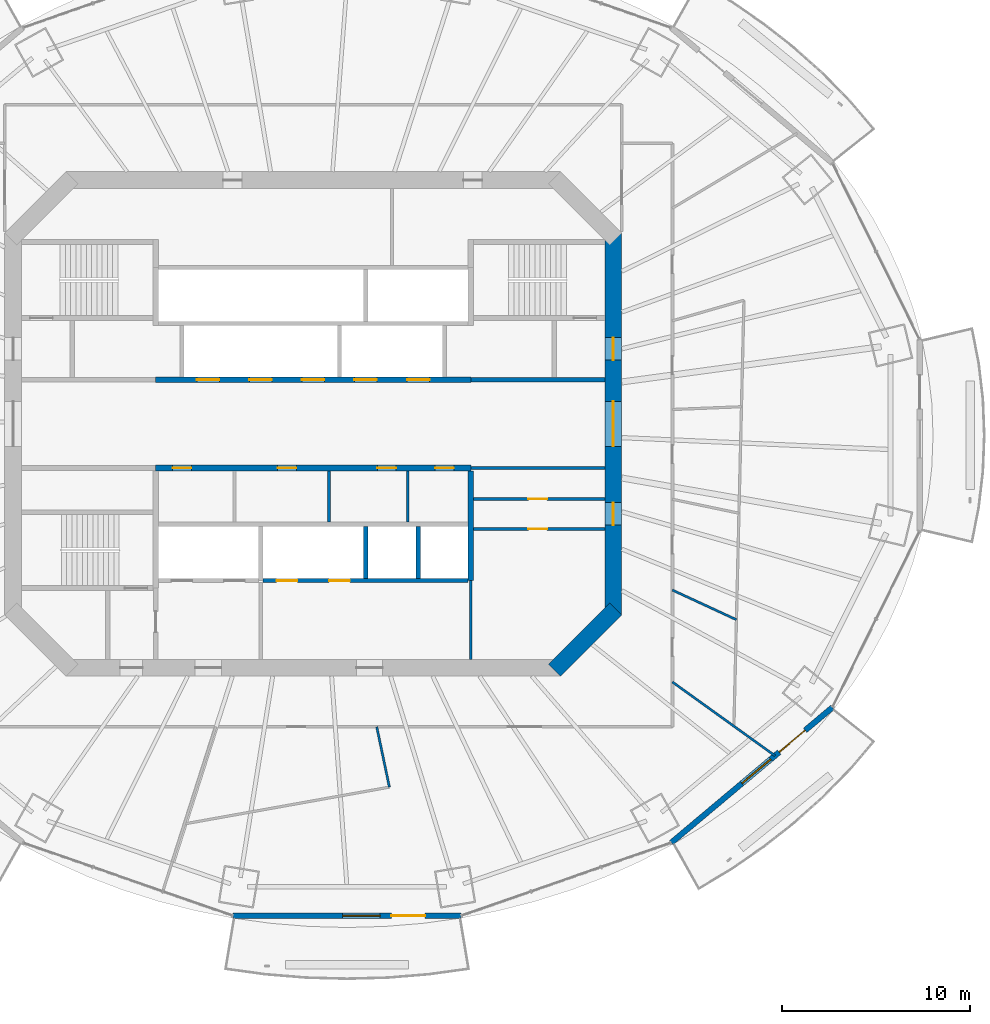
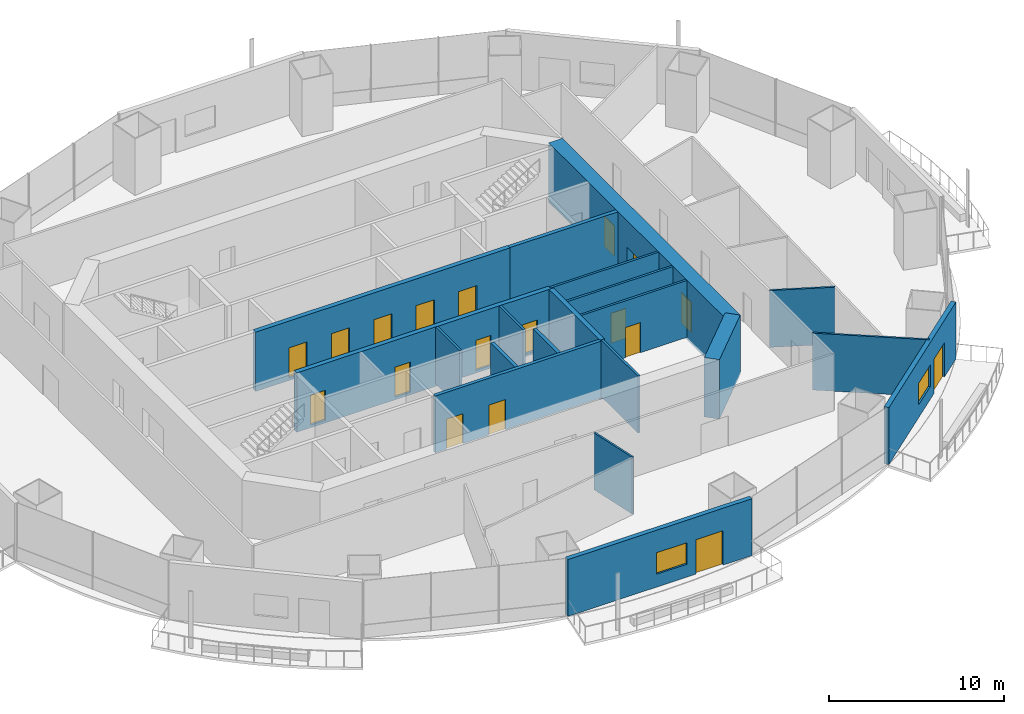
# One storey, part 12 of 20: 20 walls, 18 doors, 2 windows, 20 openings.
"""IFC4 building model written with IfcOpenShell, lengths in metres."""

from ifc_helpers import new_model, si_unit, direction, frame, frame_2d, origin, place, context, subcontext, project, spatial, rectangle, extrude, material, layer, layer_set, type_object, element, fill, save


model = new_model("IFC4")

# Units and contexts
model_context = context("Model", 3, precision=1e-05, world=origin(), true_north=direction((0.0, 1.0)))
body_context = subcontext(model_context, "Body", "Model", "MODEL_VIEW")
ifc_project = project(units=[si_unit("LENGTHUNIT", "METRE"), si_unit("AREAUNIT", "SQUARE_METRE"), si_unit("VOLUMEUNIT", "CUBIC_METRE"), si_unit("PLANEANGLEUNIT", "RADIAN"), si_unit("MASSUNIT", "GRAM", prefix="KILO")], contexts=[model_context])

# Site, building, storey
site_placement = place(None, origin())
site = spatial("IfcSite", under=ifc_project, at=site_placement, CompositionType="ELEMENT")
building_placement = place(site_placement, origin())
building = spatial("IfcBuilding", under=site, at=building_placement, Name="Marenthal Gate Tower", CompositionType="ELEMENT")
storey_placement = place(building_placement, frame((0.0, 0.0, 215.0)))
storey = spatial("IfcBuildingStorey", under=building, at=storey_placement, Name="L47", CompositionType="ELEMENT", Elevation=215.0)

# Wall
ifc_material_1 = material(Name="Concrete 60 MPa", Category="concrete")
ifc_layer_1 = layer(ifc_material_1, 0.89990234375)
ifc_layer_set_1 = layer_set([ifc_layer_1], Name="Core shear wall 900")
wall_type_1 = type_object("IfcWallType", Name="Core shear wall 900", PredefinedType="SHEAR", material=ifc_layer_set_1)
wall_1_placement = place(storey_placement, frame((12.8681640625, -13.1318359375, -0.179931640625), z_axis=(0.0, 0.0, 1.0), x_axis=(0.707106781187, 0.707106781187, 0.0)))
element("IfcWall", 1, at=wall_1_placement, inside=storey, type_object=wall_type_1, Name="Core wall 01", PredefinedType="SHEAR", context=body_context, shape_type="SweptSolid", body=[
    extrude(rectangle(XDim=4.615478515625, YDim=0.89990234375, at=frame_2d((2.3076171875, 0.0))), origin(), (0.0, 0.0, 1.0), 4.14990234375),
])

# Wall, openings, doors
wall_2_placement = place(storey_placement, frame((16.0, -10.186279296875, -0.179931640625), z_axis=(0.0, 0.0, 1.0), x_axis=(0.0, 1.0, 0.0)))
wall_2 = element("IfcWall", 2, at=wall_2_placement, inside=storey, type_object=wall_type_1, Name="Core wall 02", PredefinedType="SHEAR", context=body_context, shape_type="SweptSolid", body=[
    extrude(rectangle(XDim=20.37255859375, YDim=0.89990234375, at=frame_2d((10.186279296875, 0.0))), origin(), (0.0, 0.0, 1.0), 4.14990234375),
])
opening_1_placement = place(wall_2_placement, frame((8.986328125, 0.0, 0.179931640625)))
opening_1 = element("IfcOpeningElement", 3, at=opening_1_placement, cuts=wall_2, Name="Opening D003.02", PredefinedType="OPENING", context=body_context, shape_type="SweptSolid", body=[
    extrude(rectangle(XDim=2.39990234375, YDim=2.10009765625, at=frame_2d((1.199951171875, 1.050048828125))), frame((0.0, 0.4599609375, 0.0), z_axis=(0.0, -1.0, 0.0), x_axis=(1.0, 0.0, 0.0)), (0.0, 0.0, 1.0), 0.919921875),
])
opening_2_placement = place(wall_2_placement, frame((13.58642578125, 0.0, 0.179931640625)))
opening_2 = element("IfcOpeningElement", 4, at=opening_2_placement, cuts=wall_2, Name="Opening D001.05", PredefinedType="OPENING", context=body_context, shape_type="SweptSolid", body=[
    extrude(rectangle(XDim=1.199951171875, YDim=2.10009765625, at=frame_2d((0.60009765625, 1.050048828125))), frame((0.0, 0.4599609375, 0.0), z_axis=(0.0, -1.0, 0.0), x_axis=(1.0, 0.0, 0.0)), (0.0, 0.0, 1.0), 0.919921875),
])
opening_3_placement = place(wall_2_placement, frame((4.786376953125, 0.0, 0.179931640625)))
opening_3 = element("IfcOpeningElement", 5, at=opening_3_placement, cuts=wall_2, Name="Opening D006.01", PredefinedType="OPENING", context=body_context, shape_type="SweptSolid", body=[
    extrude(rectangle(XDim=1.199951171875, YDim=2.10009765625, at=frame_2d((0.60009765625, 1.050048828125))), frame((0.0, 0.4599609375, 0.0), z_axis=(0.0, -1.0, 0.0), x_axis=(1.0, 0.0, 0.0)), (0.0, 0.0, 1.0), 0.919921875),
])
ifc_material_2 = material(Name="Steel fire door", Category="steel")
door_type_1 = type_object("IfcDoorType", Name="Double fire door FD 45 2400 x 2100", OperationType="DOUBLE_DOOR_SINGLE_SWING", PredefinedType="DOOR", material=ifc_material_2)
door_1_placement = place(opening_1_placement, origin())
door_1 = element("IfcDoor", 6, at=door_1_placement, inside=storey, type_object=door_type_1, Name="Door D003.02", OperationType="DOUBLE_DOOR_SINGLE_SWING", OverallHeight=2.10009765625, OverallWidth=2.39990234375, PredefinedType="DOOR", context=body_context, shape_type="SweptSolid", body=[
    extrude(rectangle(XDim=2.39990234375, YDim=2.10009765625, at=frame_2d((1.199951171875, 1.050048828125))), frame((0.0, 0.02490234375, 0.0), z_axis=(0.0, -1.0, 0.0), x_axis=(1.0, 0.0, 0.0)), (0.0, 0.0, 1.0), 0.050048828125),
])
fill(opening_1, door_1)
ifc_material_3 = material(Name="Steel fire door", Category="steel")
door_type_2 = type_object("IfcDoorType", Name="Fire door FD 45 1200 x 2100", OperationType="NOTDEFINED", PredefinedType="DOOR", material=ifc_material_3)
door_2_placement = place(opening_3_placement, origin())
door_2 = element("IfcDoor", 7, at=door_2_placement, inside=storey, type_object=door_type_2, Name="Door D006.01", OperationType="SINGLE_SWING_RIGHT", OverallHeight=2.10009765625, OverallWidth=1.199951171875, PredefinedType="DOOR", context=body_context, shape_type="SweptSolid", body=[
    extrude(rectangle(XDim=1.199951171875, YDim=2.10009765625, at=frame_2d((0.60009765625, 1.050048828125))), frame((0.0, 0.02490234375, 0.0), z_axis=(0.0, -1.0, 0.0), x_axis=(1.0, 0.0, 0.0)), (0.0, 0.0, 1.0), 0.050048828125),
])
fill(opening_3, door_2)
ifc_material_4 = material(Name="Steel fire door", Category="steel")
door_type_3 = type_object("IfcDoorType", Name="Fire door FD 90 1200 x 2100", OperationType="NOTDEFINED", PredefinedType="DOOR", material=ifc_material_4)
door_3_placement = place(opening_2_placement, origin())
door_3 = element("IfcDoor", 8, at=door_3_placement, inside=storey, type_object=door_type_3, Name="Door D001.05", OperationType="SINGLE_SWING_RIGHT", OverallHeight=2.10009765625, OverallWidth=1.199951171875, PredefinedType="DOOR", context=body_context, shape_type="SweptSolid", body=[
    extrude(rectangle(XDim=1.199951171875, YDim=2.10009765625, at=frame_2d((0.60009765625, 1.050048828125))), frame((0.0, 0.02490234375, 0.0), z_axis=(0.0, -1.0, 0.0), x_axis=(1.0, 0.0, 0.0)), (0.0, 0.0, 1.0), 0.050048828125),
])
fill(opening_2, door_3)

ifc_material_5 = material(Name="Concrete 50 MPa", Category="concrete")
ifc_layer_2 = layer(ifc_material_5, 0.300048828125)
ifc_layer_set_2 = layer_set([ifc_layer_2], Name="Hoistway shear wall 300")
wall_type_2 = type_object("IfcWallType", Name="Hoistway shear wall 300", PredefinedType="SHEAR", material=ifc_layer_set_2)
wall_3_placement = place(storey_placement, frame((-8.39990234375, -2.35009765625, -0.179931640625), z_axis=(0.0, 0.0, 1.0), x_axis=(1.0, 0.0, 0.0)))
wall_3 = element("IfcWall", 9, at=wall_3_placement, inside=storey, type_object=wall_type_2, Name="Hoistway wall 17", PredefinedType="SHEAR", context=body_context, shape_type="SweptSolid", body=[
    extrude(rectangle(XDim=16.7998046875, YDim=0.300048828125, at=frame_2d((8.39990234375, 0.0))), origin(), (0.0, 0.0, 1.0), 4.14990234375),
])
opening_4_placement = place(wall_3_placement, frame((0.89990234375, 0.0, 0.179931640625)))
opening_4 = element("IfcOpeningElement", 10, at=opening_4_placement, cuts=wall_3, Name="Opening D005.01", PredefinedType="OPENING", context=body_context, shape_type="SweptSolid", body=[
    extrude(rectangle(XDim=1.0, YDim=2.10009765625, at=frame_2d((0.5, 1.050048828125))), frame((0.0, 0.16015625, 0.0), z_axis=(0.0, -1.0, 0.0), x_axis=(1.0, 0.0, 0.0)), (0.0, 0.0, 1.0), 0.320068359375),
])
opening_5_placement = place(wall_3_placement, frame((6.5, 0.0, 0.179931640625)))
opening_5 = element("IfcOpeningElement", 11, at=opening_5_placement, cuts=wall_3, Name="Opening D005.02", PredefinedType="OPENING", context=body_context, shape_type="SweptSolid", body=[
    extrude(rectangle(XDim=1.0, YDim=2.10009765625, at=frame_2d((0.5, 1.050048828125))), frame((0.0, 0.16015625, 0.0), z_axis=(0.0, -1.0, 0.0), x_axis=(1.0, 0.0, 0.0)), (0.0, 0.0, 1.0), 0.320068359375),
])
opening_6_placement = place(wall_3_placement, frame((11.820068359375, 0.0, 0.179931640625)))
opening_6 = element("IfcOpeningElement", 12, at=opening_6_placement, cuts=wall_3, Name="Opening D005.03", PredefinedType="OPENING", context=body_context, shape_type="SweptSolid", body=[
    extrude(rectangle(XDim=1.0, YDim=2.10009765625, at=frame_2d((0.5, 1.050048828125))), frame((0.0, 0.16015625, 0.0), z_axis=(0.0, -1.0, 0.0), x_axis=(1.0, 0.0, 0.0)), (0.0, 0.0, 1.0), 0.320068359375),
])
opening_7_placement = place(wall_3_placement, frame((14.89990234375, 0.0, 0.179931640625)))
opening_7 = element("IfcOpeningElement", 13, at=opening_7_placement, cuts=wall_3, Name="Opening D005.04", PredefinedType="OPENING", context=body_context, shape_type="SweptSolid", body=[
    extrude(rectangle(XDim=1.0, YDim=2.10009765625, at=frame_2d((0.5, 1.050048828125))), frame((0.0, 0.16015625, 0.0), z_axis=(0.0, -1.0, 0.0), x_axis=(1.0, 0.0, 0.0)), (0.0, 0.0, 1.0), 0.320068359375),
])
ifc_material_6 = material(Name="Steel fire door", Category="steel")
door_type_4 = type_object("IfcDoorType", Name="Fire door FD 45 1000 x 2100", OperationType="NOTDEFINED", PredefinedType="DOOR", material=ifc_material_6)
door_4_placement = place(opening_4_placement, frame((1.0, 0.0, 0.0), z_axis=(0.0, 0.0, 1.0), x_axis=(-1.0, 0.0, 0.0)))
door_4 = element("IfcDoor", 14, at=door_4_placement, inside=storey, type_object=door_type_4, Name="Door D005.01", OperationType="SINGLE_SWING_LEFT", OverallHeight=2.10009765625, OverallWidth=1.0, PredefinedType="DOOR", context=body_context, shape_type="SweptSolid", body=[
    extrude(rectangle(XDim=1.0, YDim=2.10009765625, at=frame_2d((0.5, 1.050048828125))), frame((0.0, 0.02490234375, 0.0), z_axis=(0.0, -1.0, 0.0), x_axis=(1.0, 0.0, 0.0)), (0.0, 0.0, 1.0), 0.050048828125),
])
fill(opening_4, door_4)
door_5_placement = place(opening_5_placement, frame((1.0, 0.0, 0.0), z_axis=(0.0, 0.0, 1.0), x_axis=(-1.0, 0.0, 0.0)))
door_5 = element("IfcDoor", 15, at=door_5_placement, inside=storey, type_object=door_type_4, Name="Door D005.02", OperationType="SINGLE_SWING_LEFT", OverallHeight=2.10009765625, OverallWidth=1.0, PredefinedType="DOOR", context=body_context, shape_type="SweptSolid", body=[
    extrude(rectangle(XDim=1.0, YDim=2.10009765625, at=frame_2d((0.5, 1.050048828125))), frame((0.0, 0.02490234375, 0.0), z_axis=(0.0, -1.0, 0.0), x_axis=(1.0, 0.0, 0.0)), (0.0, 0.0, 1.0), 0.050048828125),
])
fill(opening_5, door_5)
door_6_placement = place(opening_6_placement, frame((1.0, 0.0, 0.0), z_axis=(0.0, 0.0, 1.0), x_axis=(-1.0, 0.0, 0.0)))
door_6 = element("IfcDoor", 16, at=door_6_placement, inside=storey, type_object=door_type_4, Name="Door D005.03", OperationType="SINGLE_SWING_LEFT", OverallHeight=2.10009765625, OverallWidth=1.0, PredefinedType="DOOR", context=body_context, shape_type="SweptSolid", body=[
    extrude(rectangle(XDim=1.0, YDim=2.10009765625, at=frame_2d((0.5, 1.050048828125))), frame((0.0, 0.02490234375, 0.0), z_axis=(0.0, -1.0, 0.0), x_axis=(1.0, 0.0, 0.0)), (0.0, 0.0, 1.0), 0.050048828125),
])
fill(opening_6, door_6)
door_7_placement = place(opening_7_placement, frame((1.0, 0.0, 0.0), z_axis=(0.0, 0.0, 1.0), x_axis=(-1.0, 0.0, 0.0)))
door_7 = element("IfcDoor", 17, at=door_7_placement, inside=storey, type_object=door_type_4, Name="Door D005.04", OperationType="SINGLE_SWING_LEFT", OverallHeight=2.10009765625, OverallWidth=1.0, PredefinedType="DOOR", context=body_context, shape_type="SweptSolid", body=[
    extrude(rectangle(XDim=1.0, YDim=2.10009765625, at=frame_2d((0.5, 1.050048828125))), frame((0.0, 0.02490234375, 0.0), z_axis=(0.0, -1.0, 0.0), x_axis=(1.0, 0.0, 0.0)), (0.0, 0.0, 1.0), 0.050048828125),
])
fill(opening_7, door_7)

wall_4_placement = place(storey_placement, frame((-8.39990234375, 2.35009765625, -0.179931640625), z_axis=(0.0, 0.0, 1.0), x_axis=(1.0, 0.0, 0.0)))
wall_4 = element("IfcWall", 18, at=wall_4_placement, inside=storey, type_object=wall_type_2, Name="Hoistway wall 20", PredefinedType="SHEAR", context=body_context, shape_type="SweptSolid", body=[
    extrude(rectangle(XDim=16.7998046875, YDim=0.300048828125, at=frame_2d((8.39990234375, 0.0))), origin(), (0.0, 0.0, 1.0), 4.14990234375),
])
opening_8_placement = place(wall_4_placement, frame((2.199951171875, 0.0, 0.179931640625)))
opening_8 = element("IfcOpeningElement", 19, at=opening_8_placement, cuts=wall_4, Name="Opening LD-MP1", PredefinedType="OPENING", context=body_context, shape_type="SweptSolid", body=[
    extrude(rectangle(XDim=1.199951171875, YDim=2.10009765625, at=frame_2d((0.60009765625, 1.050048828125))), frame((0.0, 0.16015625, 0.0), z_axis=(0.0, -1.0, 0.0), x_axis=(1.0, 0.0, 0.0)), (0.0, 0.0, 1.0), 0.320068359375),
])
opening_9_placement = place(wall_4_placement, frame((5.0, 0.0, 0.179931640625)))
opening_9 = element("IfcOpeningElement", 20, at=opening_9_placement, cuts=wall_4, Name="Opening LD-MP2", PredefinedType="OPENING", context=body_context, shape_type="SweptSolid", body=[
    extrude(rectangle(XDim=1.199951171875, YDim=2.10009765625, at=frame_2d((0.60009765625, 1.050048828125))), frame((0.0, 0.16015625, 0.0), z_axis=(0.0, -1.0, 0.0), x_axis=(1.0, 0.0, 0.0)), (0.0, 0.0, 1.0), 0.320068359375),
])
opening_10_placement = place(wall_4_placement, frame((7.800048828125, 0.0, 0.179931640625)))
opening_10 = element("IfcOpeningElement", 21, at=opening_10_placement, cuts=wall_4, Name="Opening LD-MP3", PredefinedType="OPENING", context=body_context, shape_type="SweptSolid", body=[
    extrude(rectangle(XDim=1.199951171875, YDim=2.10009765625, at=frame_2d((0.60009765625, 1.050048828125))), frame((0.0, 0.16015625, 0.0), z_axis=(0.0, -1.0, 0.0), x_axis=(1.0, 0.0, 0.0)), (0.0, 0.0, 1.0), 0.320068359375),
])
opening_11_placement = place(wall_4_placement, frame((10.60009765625, 0.0, 0.179931640625)))
opening_11 = element("IfcOpeningElement", 22, at=opening_11_placement, cuts=wall_4, Name="Opening LD-MP4", PredefinedType="OPENING", context=body_context, shape_type="SweptSolid", body=[
    extrude(rectangle(XDim=1.199951171875, YDim=2.10009765625, at=frame_2d((0.60009765625, 1.050048828125))), frame((0.0, 0.16015625, 0.0), z_axis=(0.0, -1.0, 0.0), x_axis=(1.0, 0.0, 0.0)), (0.0, 0.0, 1.0), 0.320068359375),
])
opening_12_placement = place(wall_4_placement, frame((13.39990234375, 0.0, 0.179931640625)))
opening_12 = element("IfcOpeningElement", 23, at=opening_12_placement, cuts=wall_4, Name="Opening LD-MP5", PredefinedType="OPENING", context=body_context, shape_type="SweptSolid", body=[
    extrude(rectangle(XDim=1.199951171875, YDim=2.10009765625, at=frame_2d((0.60009765625, 1.050048828125))), frame((0.0, 0.16015625, 0.0), z_axis=(0.0, -1.0, 0.0), x_axis=(1.0, 0.0, 0.0)), (0.0, 0.0, 1.0), 0.320068359375),
])
ifc_material_7 = material(Name="Stainless steel sliding door", Category="steel")
door_type_5 = type_object("IfcDoorType", Name="Lift landing door FD 90 1200 x 2100", OperationType="DOUBLE_DOOR_SLIDING", PredefinedType="DOOR", material=ifc_material_7)
door_8_placement = place(opening_8_placement, origin())
door_8 = element("IfcDoor", 24, at=door_8_placement, inside=storey, type_object=door_type_5, Name="Lift landing door MP1", OperationType="DOUBLE_DOOR_SLIDING", OverallHeight=2.10009765625, OverallWidth=1.199951171875, PredefinedType="DOOR", context=body_context, shape_type="SweptSolid", body=[
    extrude(rectangle(XDim=1.199951171875, YDim=2.10009765625, at=frame_2d((0.60009765625, 1.050048828125))), frame((0.0, 0.02490234375, 0.0), z_axis=(0.0, -1.0, 0.0), x_axis=(1.0, 0.0, 0.0)), (0.0, 0.0, 1.0), 0.050048828125),
])
fill(opening_8, door_8)
door_9_placement = place(opening_9_placement, origin())
door_9 = element("IfcDoor", 25, at=door_9_placement, inside=storey, type_object=door_type_5, Name="Lift landing door MP2", OperationType="DOUBLE_DOOR_SLIDING", OverallHeight=2.10009765625, OverallWidth=1.199951171875, PredefinedType="DOOR", context=body_context, shape_type="SweptSolid", body=[
    extrude(rectangle(XDim=1.199951171875, YDim=2.10009765625, at=frame_2d((0.60009765625, 1.050048828125))), frame((0.0, 0.02490234375, 0.0), z_axis=(0.0, -1.0, 0.0), x_axis=(1.0, 0.0, 0.0)), (0.0, 0.0, 1.0), 0.050048828125),
])
fill(opening_9, door_9)
door_10_placement = place(opening_10_placement, origin())
door_10 = element("IfcDoor", 26, at=door_10_placement, inside=storey, type_object=door_type_5, Name="Lift landing door MP3", OperationType="DOUBLE_DOOR_SLIDING", OverallHeight=2.10009765625, OverallWidth=1.199951171875, PredefinedType="DOOR", context=body_context, shape_type="SweptSolid", body=[
    extrude(rectangle(XDim=1.199951171875, YDim=2.10009765625, at=frame_2d((0.60009765625, 1.050048828125))), frame((0.0, 0.02490234375, 0.0), z_axis=(0.0, -1.0, 0.0), x_axis=(1.0, 0.0, 0.0)), (0.0, 0.0, 1.0), 0.050048828125),
])
fill(opening_10, door_10)
door_11_placement = place(opening_11_placement, origin())
door_11 = element("IfcDoor", 27, at=door_11_placement, inside=storey, type_object=door_type_5, Name="Lift landing door MP4", OperationType="DOUBLE_DOOR_SLIDING", OverallHeight=2.10009765625, OverallWidth=1.199951171875, PredefinedType="DOOR", context=body_context, shape_type="SweptSolid", body=[
    extrude(rectangle(XDim=1.199951171875, YDim=2.10009765625, at=frame_2d((0.60009765625, 1.050048828125))), frame((0.0, 0.02490234375, 0.0), z_axis=(0.0, -1.0, 0.0), x_axis=(1.0, 0.0, 0.0)), (0.0, 0.0, 1.0), 0.050048828125),
])
fill(opening_11, door_11)
door_12_placement = place(opening_12_placement, origin())
door_12 = element("IfcDoor", 28, at=door_12_placement, inside=storey, type_object=door_type_5, Name="Lift landing door MP5", OperationType="DOUBLE_DOOR_SLIDING", OverallHeight=2.10009765625, OverallWidth=1.199951171875, PredefinedType="DOOR", context=body_context, shape_type="SweptSolid", body=[
    extrude(rectangle(XDim=1.199951171875, YDim=2.10009765625, at=frame_2d((0.60009765625, 1.050048828125))), frame((0.0, 0.02490234375, 0.0), z_axis=(0.0, -1.0, 0.0), x_axis=(1.0, 0.0, 0.0)), (0.0, 0.0, 1.0), 0.050048828125),
])
fill(opening_12, door_12)

# Wall
wall_5_placement = place(storey_placement, frame((8.39990234375, -8.35009765625, -0.179931640625), z_axis=(0.0, 0.0, 1.0), x_axis=(0.0, 1.0, 0.0)))
element("IfcWall", 29, at=wall_5_placement, inside=storey, type_object=wall_type_2, Name="Hoistway wall 47", PredefinedType="SHEAR", context=body_context, shape_type="SweptSolid", body=[
    extrude(rectangle(XDim=5.85009765625, YDim=0.300048828125, at=frame_2d((2.925048828125, 0.0))), origin(), (0.0, 0.0, 1.0), 4.14990234375),
])

# Wall, openings, doors
ifc_material_8 = material(Name="Concrete 40 MPa", Category="concrete")
ifc_layer_3 = layer(ifc_material_8, 0.219970703125)
ifc_layer_set_3 = layer_set([ifc_layer_3], Name="Hoistway wall 220")
wall_type_3 = type_object("IfcWallType", Name="Hoistway wall 220", PredefinedType="STANDARD", material=ifc_layer_set_3)
wall_6_placement = place(storey_placement, frame((-2.68994140625, -8.35009765625, 0.0), z_axis=(0.0, 0.0, 1.0), x_axis=(1.0, 0.0, 0.0)))
wall_6 = element("IfcWall", 30, at=wall_6_placement, inside=storey, type_object=wall_type_3, Name="Hoistway wall 11", PredefinedType="STANDARD", context=body_context, shape_type="SweptSolid", body=[
    extrude(rectangle(XDim=10.93994140625, YDim=0.219970703125, at=frame_2d((5.469970703125, 0.0))), origin(), (0.0, 0.0, 1.0), 3.969970703125),
])
opening_13_placement = place(wall_6_placement, frame((0.739990234375, 0.0, 0.0)))
opening_13 = element("IfcOpeningElement", 31, at=opening_13_placement, cuts=wall_6, Name="Opening LD-SV1", PredefinedType="OPENING", context=body_context, shape_type="SweptSolid", body=[
    extrude(rectangle(XDim=1.10009765625, YDim=2.10009765625, at=frame_2d((0.550048828125, 1.050048828125))), frame((0.0, 0.1201171875, 0.0), z_axis=(0.0, -1.0, 0.0), x_axis=(1.0, 0.0, 0.0)), (0.0, 0.0, 1.0), 0.239990234375),
])
opening_14_placement = place(wall_6_placement, frame((3.5400390625, 0.0, 0.0)))
opening_14 = element("IfcOpeningElement", 32, at=opening_14_placement, cuts=wall_6, Name="Opening LD-SV2", PredefinedType="OPENING", context=body_context, shape_type="SweptSolid", body=[
    extrude(rectangle(XDim=1.10009765625, YDim=2.10009765625, at=frame_2d((0.550048828125, 1.050048828125))), frame((0.0, 0.1201171875, 0.0), z_axis=(0.0, -1.0, 0.0), x_axis=(1.0, 0.0, 0.0)), (0.0, 0.0, 1.0), 0.239990234375),
])
ifc_material_9 = material(Name="Stainless steel sliding door", Category="steel")
door_type_6 = type_object("IfcDoorType", Name="Lift landing door FD 90 1100 x 2100", OperationType="DOUBLE_DOOR_SLIDING", PredefinedType="DOOR", material=ifc_material_9)
door_13_placement = place(opening_13_placement, origin())
door_13 = element("IfcDoor", 33, at=door_13_placement, inside=storey, type_object=door_type_6, Name="Lift landing door SV1", OperationType="DOUBLE_DOOR_SLIDING", OverallHeight=2.10009765625, OverallWidth=1.10009765625, PredefinedType="DOOR", context=body_context, shape_type="SweptSolid", body=[
    extrude(rectangle(XDim=1.10009765625, YDim=2.10009765625, at=frame_2d((0.550048828125, 1.050048828125))), frame((0.0, 0.02490234375, 0.0), z_axis=(0.0, -1.0, 0.0), x_axis=(1.0, 0.0, 0.0)), (0.0, 0.0, 1.0), 0.050048828125),
])
fill(opening_13, door_13)
door_14_placement = place(opening_14_placement, origin())
door_14 = element("IfcDoor", 34, at=door_14_placement, inside=storey, type_object=door_type_6, Name="Lift landing door SV2", OperationType="DOUBLE_DOOR_SLIDING", OverallHeight=2.10009765625, OverallWidth=1.10009765625, PredefinedType="DOOR", context=body_context, shape_type="SweptSolid", body=[
    extrude(rectangle(XDim=1.10009765625, YDim=2.10009765625, at=frame_2d((0.550048828125, 1.050048828125))), frame((0.0, 0.02490234375, 0.0), z_axis=(0.0, -1.0, 0.0), x_axis=(1.0, 0.0, 0.0)), (0.0, 0.0, 1.0), 0.050048828125),
])
fill(opening_14, door_14)

# Walls
for number, where, z_axis, x_axis, name in (
    (35, (2.800048828125, -8.239990234375, 0.0), (0.0, 0.0, 1.0), (0.0, 1.0, 0.0), "Hoistway wall 40"),
    (36, (5.60009765625, -8.239990234375, 0.0), (0.0, 0.0, 1.0), (0.0, 1.0, 0.0), "Hoistway wall 44"),
):
    element("IfcWall", number, at=place(storey_placement, frame(where, z_axis=z_axis, x_axis=x_axis)), inside=storey, type_object=wall_type_3, Name=name, PredefinedType="STANDARD", context=body_context, shape_type="SweptSolid", body=[
        extrude(rectangle(XDim=2.780029296875, YDim=0.219970703125, at=frame_2d((1.39013671875, 0.0))), origin(), (0.0, 0.0, 1.0), 3.969970703125),
    ])
ifc_material_10 = material(Name="Gypsum board on steel studs", Category="steel")
ifc_layer_4 = layer(ifc_material_10, 0.1201171875)
ifc_layer_set_4 = layer_set([ifc_layer_4], Name="Partition 120")
wall_type_4 = type_object("IfcWallType", Name="Partition 120", PredefinedType="PARTITIONING", material=ifc_layer_set_4)
wall_7_placement = place(storey_placement, frame((4.06103515625, -19.365478515625, 0.0), z_axis=(0.0, 0.0, 1.0), x_axis=(-0.205238953165, 0.97871189433, 0.0)))
element("IfcWall", 37, at=wall_7_placement, inside=storey, type_object=wall_type_4, Name="Partition wall 57", PredefinedType="PARTITIONING", context=body_context, shape_type="SweptSolid", body=[
    extrude(rectangle(XDim=3.285400390625, YDim=0.1201171875, at=frame_2d((1.642578125, 0.0))), origin(), (0.0, 0.0, 1.0), 3.969970703125),
])
wall_8_placement = place(storey_placement, frame((19.14990234375, -13.7587890625, 0.0), z_axis=(0.0, 0.0, 1.0), x_axis=(0.812128627043, -0.583478442736, 0.0)))
element("IfcWall", 38, at=wall_8_placement, inside=storey, type_object=wall_type_4, Name="Partition wall 61", PredefinedType="PARTITIONING", context=body_context, shape_type="SweptSolid", body=[
    extrude(rectangle(XDim=6.7353515625, YDim=0.1201171875, at=frame_2d((3.36767578125, 0.0))), origin(), (0.0, 0.0, 1.0), 3.969970703125),
])
wall_9_placement = place(storey_placement, frame((22.566162109375, -10.4384765625, 0.0), z_axis=(0.0, 0.0, 1.0), x_axis=(-0.907596457225, 0.419843626643, 0.0)))
element("IfcWall", 39, at=wall_9_placement, inside=storey, type_object=wall_type_4, Name="Partition wall 65", PredefinedType="PARTITIONING", context=body_context, shape_type="SweptSolid", body=[
    extrude(rectangle(XDim=3.76416015625, YDim=0.1201171875, at=frame_2d((1.882080078125, 0.0))), origin(), (0.0, 0.0, 1.0), 3.969970703125),
])

# Wall, opening, door
ifc_material_11 = material(Name="Gypsum board on steel studs", Category="steel")
ifc_layer_5 = layer(ifc_material_11, 0.14990234375)
ifc_layer_set_5 = layer_set([ifc_layer_5], Name="Partition 150")
wall_type_5 = type_object("IfcWallType", Name="Partition 150", PredefinedType="PARTITIONING", material=ifc_layer_set_5)
wall_10_placement = place(storey_placement, frame((8.550048828125, -5.60009765625, 0.0), z_axis=(0.0, 0.0, 1.0), x_axis=(1.0, 0.0, 0.0)))
wall_10 = element("IfcWall", 40, at=wall_10_placement, inside=storey, type_object=wall_type_5, Name="Partition wall 12", PredefinedType="PARTITIONING", context=body_context, shape_type="SweptSolid", body=[
    extrude(rectangle(XDim=7.0, YDim=0.14990234375, at=frame_2d((3.5, 0.0))), origin(), (0.0, 0.0, 1.0), 3.969970703125),
])
opening_15_placement = place(wall_10_placement, frame((2.925048828125, 0.0, 0.0)))
opening_15 = element("IfcOpeningElement", 41, at=opening_15_placement, cuts=wall_10, Name="Opening D005.08", PredefinedType="OPENING", context=body_context, shape_type="SweptSolid", body=[
    extrude(rectangle(XDim=1.0, YDim=2.10009765625, at=frame_2d((0.5, 1.050048828125))), frame((0.0, 0.0849609375, 0.0), z_axis=(0.0, -1.0, 0.0), x_axis=(1.0, 0.0, 0.0)), (0.0, 0.0, 1.0), 0.169921875),
])
door_15_placement = place(opening_15_placement, frame((1.0, 0.0, 0.0), z_axis=(0.0, 0.0, 1.0), x_axis=(-1.0, 0.0, 0.0)))
door_15 = element("IfcDoor", 42, at=door_15_placement, inside=storey, type_object=door_type_4, Name="Door D005.08", OperationType="SINGLE_SWING_LEFT", OverallHeight=2.10009765625, OverallWidth=1.0, PredefinedType="DOOR", context=body_context, shape_type="SweptSolid", body=[
    extrude(rectangle(XDim=1.0, YDim=2.10009765625, at=frame_2d((0.5, 1.050048828125))), frame((0.0, 0.02490234375, 0.0), z_axis=(0.0, -1.0, 0.0), x_axis=(1.0, 0.0, 0.0)), (0.0, 0.0, 1.0), 0.050048828125),
])
fill(opening_15, door_15)

wall_11_placement = place(storey_placement, frame((8.550048828125, -4.0, 0.0), z_axis=(0.0, 0.0, 1.0), x_axis=(1.0, 0.0, 0.0)))
wall_11 = element("IfcWall", 43, at=wall_11_placement, inside=storey, type_object=wall_type_5, Name="Partition wall 15", PredefinedType="PARTITIONING", context=body_context, shape_type="SweptSolid", body=[
    extrude(rectangle(XDim=7.0, YDim=0.14990234375, at=frame_2d((3.5, 0.0))), origin(), (0.0, 0.0, 1.0), 3.969970703125),
])
opening_16_placement = place(wall_11_placement, frame((2.925048828125, 0.0, 0.0)))
opening_16 = element("IfcOpeningElement", 44, at=opening_16_placement, cuts=wall_11, Name="Opening D005.07", PredefinedType="OPENING", context=body_context, shape_type="SweptSolid", body=[
    extrude(rectangle(XDim=1.0, YDim=2.10009765625, at=frame_2d((0.5, 1.050048828125))), frame((0.0, 0.0849609375, 0.0), z_axis=(0.0, -1.0, 0.0), x_axis=(1.0, 0.0, 0.0)), (0.0, 0.0, 1.0), 0.169921875),
])
door_16_placement = place(opening_16_placement, origin())
door_16 = element("IfcDoor", 45, at=door_16_placement, inside=storey, type_object=door_type_4, Name="Door D005.07", OperationType="SINGLE_SWING_RIGHT", OverallHeight=2.10009765625, OverallWidth=1.0, PredefinedType="DOOR", context=body_context, shape_type="SweptSolid", body=[
    extrude(rectangle(XDim=1.0, YDim=2.10009765625, at=frame_2d((0.5, 1.050048828125))), frame((0.0, 0.02490234375, 0.0), z_axis=(0.0, -1.0, 0.0), x_axis=(1.0, 0.0, 0.0)), (0.0, 0.0, 1.0), 0.050048828125),
])
fill(opening_16, door_16)

# Walls
wall_12_placement = place(storey_placement, frame((8.39990234375, -2.35009765625, 0.0), z_axis=(0.0, 0.0, 1.0), x_axis=(1.0, 0.0, 0.0)))
element("IfcWall", 46, at=wall_12_placement, inside=storey, type_object=wall_type_5, Name="Partition wall 18", PredefinedType="PARTITIONING", context=body_context, shape_type="SweptSolid", body=[
    extrude(rectangle(XDim=7.150146484375, YDim=0.14990234375, at=frame_2d((3.5751953125, 0.0))), origin(), (0.0, 0.0, 1.0), 3.969970703125),
])
for number, where, z_axis, x_axis, name in (
    (47, (0.840087890625, -5.239990234375, 0.0), (0.0, 0.0, 1.0), (0.0, 1.0, 0.0), "Partition wall 38"),
    (48, (5.0400390625, -5.239990234375, 0.0), (0.0, 0.0, 1.0), (0.0, 1.0, 0.0), "Partition wall 43"),
):
    element("IfcWall", number, at=place(storey_placement, frame(where, z_axis=z_axis, x_axis=x_axis)), inside=storey, type_object=wall_type_5, Name=name, PredefinedType="PARTITIONING", context=body_context, shape_type="SweptSolid", body=[
        extrude(rectangle(XDim=2.739990234375, YDim=0.14990234375, at=frame_2d((1.3701171875, 0.0))), origin(), (0.0, 0.0, 1.0), 3.969970703125),
    ])
wall_13_placement = place(storey_placement, frame((8.39990234375, -12.550048828125, 0.0), z_axis=(0.0, 0.0, 1.0), x_axis=(0.0, 1.0, 0.0)))
element("IfcWall", 49, at=wall_13_placement, inside=storey, type_object=wall_type_5, Name="Partition wall 46", PredefinedType="PARTITIONING", context=body_context, shape_type="SweptSolid", body=[
    extrude(rectangle(XDim=4.199951171875, YDim=0.14990234375, at=frame_2d((2.10009765625, 0.0))), origin(), (0.0, 0.0, 1.0), 3.969970703125),
])
ifc_material_12 = material(Name="Concrete 40 MPa", Category="concrete")
ifc_layer_6 = layer(ifc_material_12, 0.25)
ifc_layer_set_6 = layer_set([ifc_layer_6], Name="Stair enclosure wall 250")
wall_type_6 = type_object("IfcWallType", Name="Stair enclosure wall 250", PredefinedType="STANDARD", material=ifc_layer_set_6)
wall_14_placement = place(storey_placement, frame((8.39990234375, 2.35009765625, 0.0), z_axis=(0.0, 0.0, 1.0), x_axis=(1.0, 0.0, 0.0)))
element("IfcWall", 50, at=wall_14_placement, inside=storey, type_object=wall_type_6, Name="Stair wall 21", PredefinedType="STANDARD", context=body_context, shape_type="SweptSolid", body=[
    extrude(rectangle(XDim=7.150146484375, YDim=0.25, at=frame_2d((3.5751953125, 0.0))), origin(), (0.0, 0.0, 1.0), 3.969970703125),
])

# Wall, openings, door, window
ifc_material_13 = material(Name="Terracotta cladding on insulated concrete-block backing", Category="masonry")
ifc_layer_7 = layer(ifc_material_13, 0.300048828125)
ifc_layer_set_7 = layer_set([ifc_layer_7], Name="Terracotta facade wall 300")
wall_type_7 = type_object("IfcWallType", Name="Terracotta facade wall 300", PredefinedType="SOLIDWALL", material=ifc_layer_set_7)
wall_15_placement = place(storey_placement, frame((-4.273193359375, -26.227783203125, 0.0), z_axis=(0.0, 0.0, 1.0), x_axis=(1.0, 0.0, 0.0)))
wall_15 = element("IfcWall", 51, at=wall_15_placement, inside=storey, type_object=wall_type_7, Name="Terracotta facade wall L47 bay 12", PredefinedType="SOLIDWALL", context=body_context, shape_type="SweptSolid", body=[
    extrude(rectangle(XDim=12.146484375, YDim=0.300048828125, at=frame_2d((6.0732421875, 0.0))), origin(), (0.0, 0.0, 1.0), 3.969970703125),
])
opening_17_placement = place(wall_15_placement, frame((8.4462890625, 0.0, 0.0)))
opening_17 = element("IfcOpeningElement", 52, at=opening_17_placement, cuts=wall_15, Name="Opening BD-L47-12", PredefinedType="OPENING", context=body_context, shape_type="SweptSolid", body=[
    extrude(rectangle(XDim=1.800048828125, YDim=2.39990234375, at=frame_2d((0.89990234375, 1.199951171875))), frame((0.0, 0.16015625, 0.0), z_axis=(0.0, -1.0, 0.0), x_axis=(1.0, 0.0, 0.0)), (0.0, 0.0, 1.0), 0.320068359375),
])
opening_18_placement = place(wall_15_placement, frame((5.846435546875, 0.0, 0.89990234375)))
opening_18 = element("IfcOpeningElement", 53, at=opening_18_placement, cuts=wall_15, Name="Opening WN2-L47-12", PredefinedType="OPENING", context=body_context, shape_type="SweptSolid", body=[
    extrude(rectangle(XDim=2.0, YDim=1.5, at=frame_2d((1.0, 0.75))), frame((0.0, 0.16015625, 0.0), z_axis=(0.0, -1.0, 0.0), x_axis=(1.0, 0.0, 0.0)), (0.0, 0.0, 1.0), 0.320068359375),
])
ifc_material_14 = material(Name="Aluminium and glass", Category="aluminium")
door_type_7 = type_object("IfcDoorType", Name="Balcony door 1800x2400", OperationType="DOUBLE_DOOR_SINGLE_SWING", PredefinedType="DOOR", material=ifc_material_14)
door_17_placement = place(opening_17_placement, origin())
door_17 = element("IfcDoor", 54, at=door_17_placement, inside=storey, type_object=door_type_7, Name="Balcony door L47 bay 12", OperationType="SINGLE_SWING_LEFT", OverallHeight=2.39990234375, OverallWidth=1.800048828125, PredefinedType="DOOR", context=body_context, shape_type="SweptSolid", body=[
    extrude(rectangle(XDim=1.800048828125, YDim=2.39990234375, at=frame_2d((0.89990234375, 1.199951171875))), frame((0.0, 0.02490234375, 0.0), z_axis=(0.0, -1.0, 0.0), x_axis=(1.0, 0.0, 0.0)), (0.0, 0.0, 1.0), 0.050048828125),
])
fill(opening_17, door_17)
ifc_material_15 = material(Name="Aluminium and glass", Category="aluminium")
window_type = type_object("IfcWindowType", Name="Window 2000x1500", PartitioningType="DOUBLE_PANEL_VERTICAL", PredefinedType="WINDOW", material=ifc_material_15)
window_1_placement = place(opening_18_placement, origin())
window_1 = element("IfcWindow", 55, at=window_1_placement, inside=storey, type_object=window_type, Name="Window L47 bay 12", OverallHeight=1.5, OverallWidth=2.0, PartitioningType="SINGLE_PANEL", PredefinedType="WINDOW", context=body_context, shape_type="SweptSolid", body=[
    extrude(rectangle(XDim=2.0, YDim=1.5, at=frame_2d((1.0, 0.75))), frame((0.0, 0.030029296875, 0.0), z_axis=(0.0, -1.0, 0.0), x_axis=(1.0, 0.0, 0.0)), (0.0, 0.0, 1.0), 0.06005859375),
])
fill(opening_18, window_1)

wall_16_placement = place(storey_placement, frame((19.094970703125, -22.326416015625, 0.0), z_axis=(0.0, 0.0, 1.0), x_axis=(0.76593385613, 0.642919379109, 0.0)))
wall_16 = element("IfcWall", 56, at=wall_16_placement, inside=storey, type_object=wall_type_7, Name="Terracotta facade wall L47 bay 14", PredefinedType="SOLIDWALL", context=body_context, shape_type="SweptSolid", body=[
    extrude(rectangle(XDim=11.21337890625, YDim=0.300048828125, at=frame_2d((5.606689453125, 0.0))), origin(), (0.0, 0.0, 1.0), 3.969970703125),
])
opening_19_placement = place(wall_16_placement, frame((7.51318359375, 0.0, 0.0)))
opening_19 = element("IfcOpeningElement", 57, at=opening_19_placement, cuts=wall_16, Name="Opening BD-L47-14", PredefinedType="OPENING", context=body_context, shape_type="SweptSolid", body=[
    extrude(rectangle(XDim=1.800048828125, YDim=2.39990234375, at=frame_2d((0.89990234375, 1.199951171875))), frame((0.0, 0.16015625, 0.0), z_axis=(0.0, -1.0, 0.0), x_axis=(1.0, 0.0, 0.0)), (0.0, 0.0, 1.0), 0.320068359375),
])
opening_20_placement = place(wall_16_placement, frame((4.913330078125, 0.0, 0.89990234375)))
opening_20 = element("IfcOpeningElement", 58, at=opening_20_placement, cuts=wall_16, Name="Opening WN2-L47-14", PredefinedType="OPENING", context=body_context, shape_type="SweptSolid", body=[
    extrude(rectangle(XDim=2.0, YDim=1.5, at=frame_2d((1.0, 0.75))), frame((0.0, 0.16015625, 0.0), z_axis=(0.0, -1.0, 0.0), x_axis=(1.0, 0.0, 0.0)), (0.0, 0.0, 1.0), 0.320068359375),
])
door_18_placement = place(opening_19_placement, origin())
door_18 = element("IfcDoor", 59, at=door_18_placement, inside=storey, type_object=door_type_7, Name="Balcony door L47 bay 14", OperationType="SINGLE_SWING_LEFT", OverallHeight=2.39990234375, OverallWidth=1.800048828125, PredefinedType="DOOR", context=body_context, shape_type="SweptSolid", body=[
    extrude(rectangle(XDim=1.800048828125, YDim=2.39990234375, at=frame_2d((0.89990234375, 1.199951171875))), frame((0.0, 0.02490234375, 0.0), z_axis=(0.0, -1.0, 0.0), x_axis=(1.0, 0.0, 0.0)), (0.0, 0.0, 1.0), 0.050048828125),
])
fill(opening_19, door_18)
window_2_placement = place(opening_20_placement, origin())
window_2 = element("IfcWindow", 60, at=window_2_placement, inside=storey, type_object=window_type, Name="Window L47 bay 14", OverallHeight=1.5, OverallWidth=2.0, PartitioningType="SINGLE_PANEL", PredefinedType="WINDOW", context=body_context, shape_type="SweptSolid", body=[
    extrude(rectangle(XDim=2.0, YDim=1.5, at=frame_2d((1.0, 0.75))), frame((0.0, 0.030029296875, 0.0), z_axis=(0.0, -1.0, 0.0), x_axis=(1.0, 0.0, 0.0)), (0.0, 0.0, 1.0), 0.06005859375),
])
fill(opening_20, window_2)

save(model, "model.ifc")
